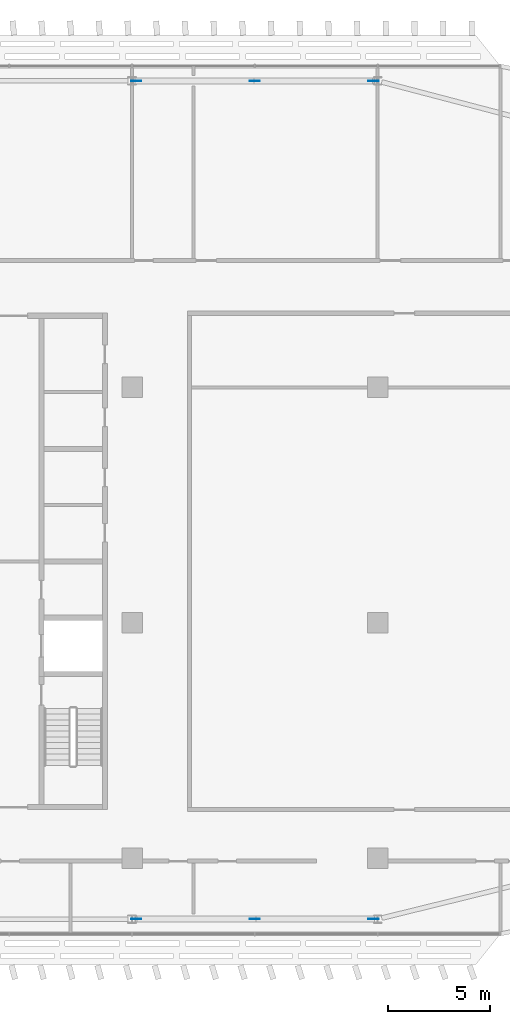
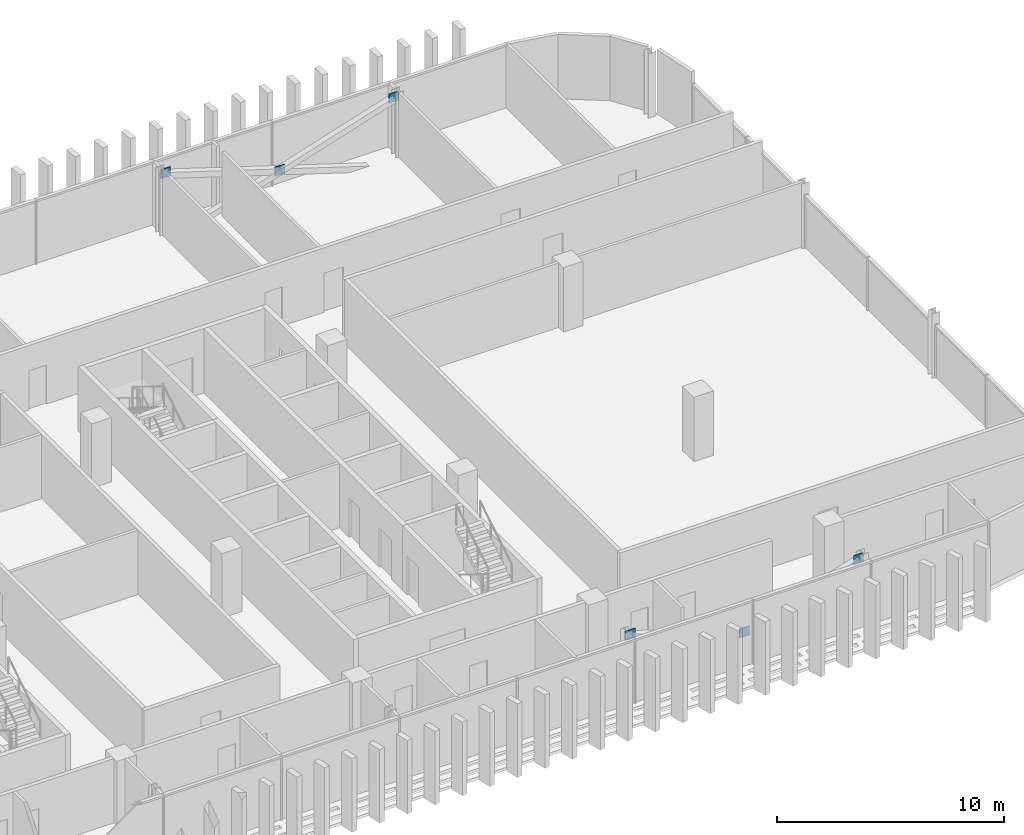
# One storey, part 26 of 34: 6 discrete accessories.
"""IFC4 building model written with IfcOpenShell, lengths in metres."""

from ifc_helpers import new_model, si_unit, direction, frame, origin, origin_2d, place, context, subcontext, project, spatial, rectangle, extrude, material, layer, layer_set, type_object, element, save


model = new_model("IFC4")

# Units and contexts
model_context = context("Model", 3, precision=1e-05, world=origin(), true_north=direction((0.0, 1.0)))
body_context = subcontext(model_context, "Body", "Model", "MODEL_VIEW")
ifc_project = project(units=[si_unit("LENGTHUNIT", "METRE"), si_unit("AREAUNIT", "SQUARE_METRE"), si_unit("VOLUMEUNIT", "CUBIC_METRE"), si_unit("PLANEANGLEUNIT", "RADIAN"), si_unit("MASSUNIT", "GRAM", prefix="KILO")], contexts=[model_context])

# Site, building, storey
site_placement = place(None, origin())
site = spatial("IfcSite", under=ifc_project, at=site_placement, CompositionType="ELEMENT")
building_placement = place(site_placement, origin())
building = spatial("IfcBuilding", under=site, at=building_placement, Name="Mahtab Terrace Research Tower", CompositionType="ELEMENT")
storey_placement = place(building_placement, frame((0.0, 0.0, 247.60009765625)))
storey = spatial("IfcBuildingStorey", under=building, at=storey_placement, Name="L60", CompositionType="ELEMENT", Elevation=247.60009765625)

# Discrete accessories
ifc_material = material(Name="Steel ASTM A992 Gr 50", Category="steel")
ifc_layer = layer(ifc_material, 0.030029296875)
ifc_layer_set = layer_set([ifc_layer], Name="Gusset plate 500x500x30")
discrete_accessory_type = type_object("IfcDiscreteAccessoryType", Name="Gusset plate 500x500x30", PredefinedType="USERDEFINED", material=ifc_layer_set)
for number, where, z_axis, x_axis, name in (
    (1, (30.199462890625, -14.472900390625, 2.906494140625), (0.0, 0.0, 1.0), (1.0, 0.0, 0.0), "Gusset plate"),
    (2, (30.199462890625, 26.472900390625, 2.906494140625), (0.0, 0.0, 1.0), (1.0, 0.0, 0.0), "Gusset plate"),
    (3, (36.0, -14.472900390625, 1.00634765625), (0.0, 0.0, 1.0), (1.0, 0.0, 0.0), "Gusset plate"),
    (4, (36.0, 26.472900390625, 1.00634765625), (0.0, 0.0, 1.0), (1.0, 0.0, 0.0), "Gusset plate"),
    (5, (41.800537109375, -14.472900390625, 2.906494140625), (0.0, 0.0, 1.0), (1.0, 0.0, 0.0), "Gusset plate"),
    (6, (41.800537109375, 26.472900390625, 2.906494140625), (0.0, 0.0, 1.0), (1.0, 0.0, 0.0), "Gusset plate"),
):
    element("IfcDiscreteAccessory", number, at=place(storey_placement, frame(where, z_axis=z_axis, x_axis=x_axis)), inside=storey, type_object=discrete_accessory_type, Name=name, ObjectType="GUSSET PLATE", PredefinedType="USERDEFINED", context=body_context, shape_type="SweptSolid", body=[
        extrude(rectangle(XDim=0.5, YDim=0.030029296875, at=origin_2d()), origin(), (0.0, 0.0, 1.0), 0.5),
    ])

save(model, "model.ifc")
